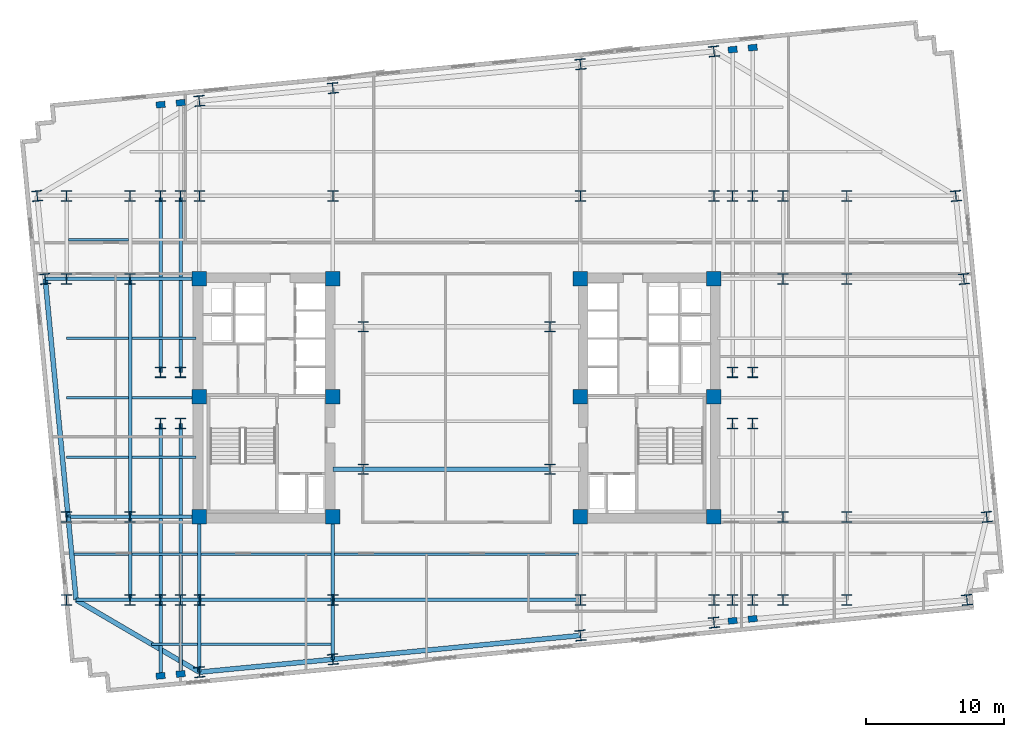
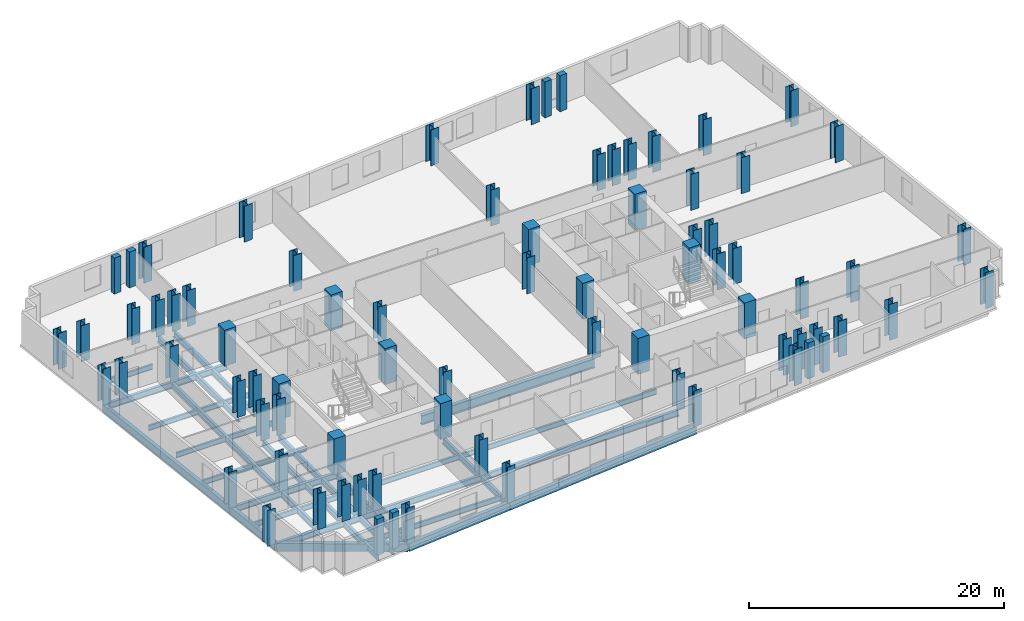
# One storey, part 1 of 10: 78 columns, 41 beams.
"""IFC4 building model written with IfcOpenShell, lengths in metres."""

from ifc_helpers import new_model, si_unit, direction, frame, origin, origin_2d, place, context, subcontext, project, spatial, rectangle, i_section, extrude, material, material_profile, profile_set, type_object, element, save


model = new_model("IFC4")

# Units and contexts
model_context = context("Model", 3, precision=1e-05, world=origin(), true_north=direction((0.0, 1.0)))
body_context = subcontext(model_context, "Body", "Model", "MODEL_VIEW")
ifc_project = project(units=[si_unit("LENGTHUNIT", "METRE"), si_unit("AREAUNIT", "SQUARE_METRE"), si_unit("VOLUMEUNIT", "CUBIC_METRE"), si_unit("PLANEANGLEUNIT", "RADIAN"), si_unit("MASSUNIT", "GRAM", prefix="KILO")], contexts=[model_context])

# Site, building, storey
site_placement = place(None, origin())
site = spatial("IfcSite", under=ifc_project, at=site_placement, CompositionType="ELEMENT")
building_placement = place(site_placement, origin())
building = spatial("IfcBuilding", under=site, at=building_placement, Name="Velakula Bourse", CompositionType="ELEMENT")
storey_placement = place(building_placement, frame((0.0, 0.0, 91.449951171875)))
storey = spatial("IfcBuildingStorey", under=building, at=storey_placement, Name="L24", CompositionType="ELEMENT", Elevation=91.449951171875)

# Columns
ifc_material_1 = material(Name="Concrete M70 (fck 70 MPa)", Category="concrete")
ifc_material_profile_1 = material_profile(ifc_material_1, rectangle(XDim=1.050048828125, YDim=1.050048828125, at=origin_2d()), Name="Concrete M70 (fck 70 MPa)")
ifc_profile_set_1 = profile_set([ifc_material_profile_1], Name="Concrete M70 (fck 70 MPa)")
column_type_1 = type_object("IfcColumnType", Name="COL-RC-1050", PredefinedType="COLUMN", material=ifc_profile_set_1)
for number, where, z_axis, x_axis, name in (
    (1, (-8.949951171875, -8.60009765625, 0.0), (0.0, 0.0, 1.0), (1.0, 0.0, 0.0), "L24 Core Boundary Column 01"),
    (2, (-8.949951171875, 0.10009765625, 0.0), (0.0, 0.0, 1.0), (1.0, 0.0, 0.0), "L24 Core Boundary Column 02"),
    (3, (-8.949951171875, 8.60009765625, 0.0), (0.0, 0.0, 1.0), (1.0, 0.0, 0.0), "L24 Core Boundary Column 03"),
    (4, (-18.60009765625, -8.60009765625, 0.0), (0.0, 0.0, 1.0), (1.0, 0.0, 0.0), "L24 Core Boundary Column 04"),
    (5, (-18.60009765625, 0.10009765625, 0.0), (0.0, 0.0, 1.0), (1.0, 0.0, 0.0), "L24 Core Boundary Column 05"),
    (6, (-18.60009765625, 8.60009765625, 0.0), (0.0, 0.0, 1.0), (1.0, 0.0, 0.0), "L24 Core Boundary Column 06"),
    (7, (8.949951171875, -8.60009765625, 0.0), (0.0, 0.0, 1.0), (1.0, 0.0, 0.0), "L24 Core Boundary Column 07"),
    (8, (8.949951171875, 0.10009765625, 0.0), (0.0, 0.0, 1.0), (1.0, 0.0, 0.0), "L24 Core Boundary Column 08"),
    (9, (8.949951171875, 8.60009765625, 0.0), (0.0, 0.0, 1.0), (1.0, 0.0, 0.0), "L24 Core Boundary Column 09"),
    (10, (18.60009765625, -8.60009765625, 0.0), (0.0, 0.0, 1.0), (1.0, 0.0, 0.0), "L24 Core Boundary Column 10"),
    (11, (18.60009765625, 0.10009765625, 0.0), (0.0, 0.0, 1.0), (1.0, 0.0, 0.0), "L24 Core Boundary Column 11"),
    (12, (18.60009765625, 8.60009765625, 0.0), (0.0, 0.0, 1.0), (1.0, 0.0, 0.0), "L24 Core Boundary Column 12"),
):
    element("IfcColumn", number, at=place(storey_placement, frame(where, z_axis=z_axis, x_axis=x_axis)), inside=storey, type_object=column_type_1, Name=name, PredefinedType="COLUMN", context=body_context, shape_type="SweptSolid", body=[
        extrude(rectangle(XDim=1.050048828125, YDim=1.050048828125, at=origin_2d()), origin(), (0.0, 0.0, 1.0), 3.449951171875),
    ])
ifc_material_2 = material(Name="Steel IS 2062 Grade 450 (E450)", Category="steel")
ifc_material_profile_2 = material_profile(ifc_material_2, i_section(OverallWidth=0.75, OverallDepth=0.75, WebThickness=0.030029296875, FlangeThickness=0.0439453125, at=origin_2d()), Name="Steel IS 2062 Grade 450 (E450)")
ifc_profile_set_2 = profile_set([ifc_material_profile_2], Name="Steel IS 2062 Grade 450 (E450)")
column_type_2 = type_object("IfcColumnType", Name="COL-STL-750", PredefinedType="COLUMN", material=ifc_profile_set_2)
for number, where, z_axis, x_axis, name in (
    (13, (-6.75, -5.14990234375, 0.0), (0.0, 0.0, 1.0), (1.0, 0.0, 0.0), "L24 Central Spine Column 01"),
    (14, (-6.75, 5.14990234375, 0.0), (0.0, 0.0, 1.0), (1.0, 0.0, 0.0), "L24 Central Spine Column 02"),
    (15, (6.75, -5.14990234375, 0.0), (0.0, 0.0, 1.0), (1.0, 0.0, 0.0), "L24 Central Spine Column 03"),
    (16, (6.75, 5.14990234375, 0.0), (0.0, 0.0, 1.0), (1.0, 0.0, 0.0), "L24 Central Spine Column 04"),
    (17, (-21.39990234375, -14.60009765625, 0.0), (0.0, 0.0, 1.0), (1.0, 0.0, 0.0), "L24 Tower Fulcrum Column 01"),
    (18, (-21.39990234375, 14.60009765625, 0.0), (0.0, 0.0, 1.0), (1.0, 0.0, 0.0), "L24 Tower Fulcrum Column 02"),
    (19, (-19.949951171875, -14.60009765625, 0.0), (0.0, 0.0, 1.0), (1.0, 0.0, 0.0), "L24 Tower Fulcrum Column 03"),
    (20, (-19.949951171875, 14.60009765625, 0.0), (0.0, 0.0, 1.0), (1.0, 0.0, 0.0), "L24 Tower Fulcrum Column 04"),
    (21, (-18.60009765625, -14.60009765625, 0.0), (0.0, 0.0, 1.0), (1.0, 0.0, 0.0), "L24 Tower Fulcrum Column 05"),
    (22, (-18.60009765625, 14.60009765625, 0.0), (0.0, 0.0, 1.0), (1.0, 0.0, 0.0), "L24 Tower Fulcrum Column 06"),
    (23, (-8.949951171875, -14.60009765625, 0.0), (0.0, 0.0, 1.0), (1.0, 0.0, 0.0), "L24 Tower Fulcrum Column 07"),
    (24, (-8.949951171875, 14.60009765625, 0.0), (0.0, 0.0, 1.0), (1.0, 0.0, 0.0), "L24 Tower Fulcrum Column 08"),
    (25, (8.949951171875, -14.60009765625, 0.0), (0.0, 0.0, 1.0), (1.0, 0.0, 0.0), "L24 Tower Fulcrum Column 09"),
    (26, (8.949951171875, 14.60009765625, 0.0), (0.0, 0.0, 1.0), (1.0, 0.0, 0.0), "L24 Tower Fulcrum Column 10"),
    (27, (18.60009765625, -14.60009765625, 0.0), (0.0, 0.0, 1.0), (1.0, 0.0, 0.0), "L24 Tower Fulcrum Column 11"),
    (28, (18.60009765625, 14.60009765625, 0.0), (0.0, 0.0, 1.0), (1.0, 0.0, 0.0), "L24 Tower Fulcrum Column 12"),
    (29, (19.949951171875, -14.60009765625, 0.0), (0.0, 0.0, 1.0), (1.0, 0.0, 0.0), "L24 Tower Fulcrum Column 13"),
    (30, (19.949951171875, 14.60009765625, 0.0), (0.0, 0.0, 1.0), (1.0, 0.0, 0.0), "L24 Tower Fulcrum Column 14"),
    (31, (21.39990234375, -14.60009765625, 0.0), (0.0, 0.0, 1.0), (1.0, 0.0, 0.0), "L24 Tower Fulcrum Column 15"),
    (32, (21.39990234375, 14.60009765625, 0.0), (0.0, 0.0, 1.0), (1.0, 0.0, 0.0), "L24 Tower Fulcrum Column 16"),
    (33, (-21.39990234375, -1.85009765625, 0.0), (0.0, 0.0, 1.0), (1.0, 0.0, 0.0), "L24 Tower Fulcrum Column 17"),
    (34, (-21.39990234375, 1.85009765625, 0.0), (0.0, 0.0, 1.0), (1.0, 0.0, 0.0), "L24 Tower Fulcrum Column 18"),
    (35, (-19.949951171875, -1.85009765625, 0.0), (0.0, 0.0, 1.0), (1.0, 0.0, 0.0), "L24 Tower Fulcrum Column 19"),
    (36, (-19.949951171875, 1.85009765625, 0.0), (0.0, 0.0, 1.0), (1.0, 0.0, 0.0), "L24 Tower Fulcrum Column 20"),
    (37, (19.949951171875, -1.85009765625, 0.0), (0.0, 0.0, 1.0), (1.0, 0.0, 0.0), "L24 Tower Fulcrum Column 21"),
    (38, (19.949951171875, 1.85009765625, 0.0), (0.0, 0.0, 1.0), (1.0, 0.0, 0.0), "L24 Tower Fulcrum Column 22"),
    (39, (21.39990234375, -1.85009765625, 0.0), (0.0, 0.0, 1.0), (1.0, 0.0, 0.0), "L24 Tower Fulcrum Column 23"),
    (40, (21.39990234375, 1.85009765625, 0.0), (0.0, 0.0, 1.0), (1.0, 0.0, 0.0), "L24 Tower Fulcrum Column 24"),
    (41, (-23.60009765625, -14.60009765625, 0.0), (0.0, 0.0, 1.0), (1.0, 0.0, 0.0), "L24 Mid-Wing Plumb Column 01"),
    (42, (-23.60009765625, -8.60009765625, 0.0), (0.0, 0.0, 1.0), (1.0, 0.0, 0.0), "L24 Mid-Wing Plumb Column 02"),
    (43, (-23.60009765625, 8.60009765625, 0.0), (0.0, 0.0, 1.0), (1.0, 0.0, 0.0), "L24 Mid-Wing Plumb Column 03"),
    (44, (-23.60009765625, 14.60009765625, 0.0), (0.0, 0.0, 1.0), (1.0, 0.0, 0.0), "L24 Mid-Wing Plumb Column 04"),
    (45, (23.60009765625, -14.60009765625, 0.0), (0.0, 0.0, 1.0), (1.0, 0.0, 0.0), "L24 Mid-Wing Plumb Column 05"),
    (46, (23.60009765625, -8.60009765625, 0.0), (0.0, 0.0, 1.0), (1.0, 0.0, 0.0), "L24 Mid-Wing Plumb Column 06"),
    (47, (23.60009765625, 8.60009765625, 0.0), (0.0, 0.0, 1.0), (1.0, 0.0, 0.0), "L24 Mid-Wing Plumb Column 07"),
    (48, (23.60009765625, 14.60009765625, 0.0), (0.0, 0.0, 1.0), (1.0, 0.0, 0.0), "L24 Mid-Wing Plumb Column 08"),
    (49, (-28.199951171875, -14.60009765625, 0.0), (0.0, 0.0, 1.0), (1.0, 0.0, 0.0), "L24 Lower Wing Column 01"),
    (50, (-28.199951171875, -8.60009765625, 0.0), (0.0, 0.0, 1.0), (1.0, 0.0, 0.0), "L24 Lower Wing Column 02"),
    (51, (-28.199951171875, 8.60009765625, 0.0), (0.0, 0.0, 1.0), (1.0, 0.0, 0.0), "L24 Lower Wing Column 03"),
    (52, (-28.199951171875, 14.60009765625, 0.0), (0.0, 0.0, 1.0), (1.0, 0.0, 0.0), "L24 Lower Wing Column 04"),
    (53, (28.199951171875, -14.60009765625, 0.0), (0.0, 0.0, 1.0), (1.0, 0.0, 0.0), "L24 Lower Wing Column 05"),
    (54, (28.199951171875, -8.60009765625, 0.0), (0.0, 0.0, 1.0), (1.0, 0.0, 0.0), "L24 Lower Wing Column 06"),
    (55, (28.199951171875, 8.60009765625, 0.0), (0.0, 0.0, 1.0), (1.0, 0.0, 0.0), "L24 Lower Wing Column 07"),
    (56, (28.199951171875, 14.60009765625, 0.0), (0.0, 0.0, 1.0), (1.0, 0.0, 0.0), "L24 Lower Wing Column 08"),
    (57, (-18.60009765625, -19.8212890625, 0.0), (0.0, 0.0, 1.0), (0.995396198367, 0.09584575252, 0.0), "L24 Block B2 Perimeter Column S1"),
    (58, (-8.949951171875, -18.89208984375, 0.0), (0.0, 0.0, 1.0), (0.995396198367, 0.09584575252, 0.0), "L24 Block B2 Perimeter Column S2"),
    (59, (8.949951171875, -17.16845703125, 0.0), (0.0, 0.0, 1.0), (0.995396198367, 0.09584575252, 0.0), "L24 Block B2 Perimeter Column S3"),
    (60, (18.60009765625, -16.2392578125, 0.0), (0.0, 0.0, 1.0), (0.995396198367, 0.09584575252, 0.0), "L24 Block B2 Perimeter Column S4"),
    (61, (-18.60009765625, 21.468994140625, 0.0), (0.0, 0.0, 1.0), (0.995396198367, 0.09584575252, 0.0), "L24 Block B2 Perimeter Column N1"),
    (62, (-8.949951171875, 22.398193359375, 0.0), (0.0, 0.0, 1.0), (0.995396198367, 0.09584575252, 0.0), "L24 Block B2 Perimeter Column N2"),
    (63, (8.949951171875, 24.12158203125, 0.0), (0.0, 0.0, 1.0), (0.995396198367, 0.09584575252, 0.0), "L24 Block B2 Perimeter Column N3"),
    (64, (18.60009765625, 25.05078125, 0.0), (0.0, 0.0, 1.0), (0.995396198367, 0.09584575252, 0.0), "L24 Block B2 Perimeter Column N4"),
    (65, (-29.7421875, 8.60009765625, 0.0), (0.0, 0.0, 1.0), (0.995396198367, 0.09584575252, 0.0), "L24 Block B2 Perimeter Column W3"),
    (66, (-30.31982421875, 14.60009765625, 0.0), (0.0, 0.0, 1.0), (0.995396198367, 0.09584575252, 0.0), "L24 Block B2 Perimeter Column W4"),
    (67, (36.88818359375, -14.60009765625, 0.0), (0.0, 0.0, 1.0), (0.995396198367, 0.09584575252, 0.0), "L24 Block B2 Perimeter Column E1"),
    (68, (38.31982421875, -8.60009765625, 0.0), (0.0, 0.0, 1.0), (0.995396198367, 0.09584575252, 0.0), "L24 Block B2 Perimeter Column E2"),
    (69, (36.66357421875, 8.60009765625, 0.0), (0.0, 0.0, 1.0), (0.995396198367, 0.09584575252, 0.0), "L24 Block B2 Perimeter Column E3"),
    (70, (36.0859375, 14.60009765625, 0.0), (0.0, 0.0, 1.0), (0.995396198367, 0.09584575252, 0.0), "L24 Block B2 Perimeter Column E4"),
):
    element("IfcColumn", number, at=place(storey_placement, frame(where, z_axis=z_axis, x_axis=x_axis)), inside=storey, type_object=column_type_2, Name=name, PredefinedType="COLUMN", context=body_context, shape_type="SweptSolid", body=[
        extrude(i_section(OverallWidth=0.75, OverallDepth=0.75, WebThickness=0.030029296875, FlangeThickness=0.0439453125, at=origin_2d()), origin(), (0.0, 0.0, 1.0), 3.449951171875),
    ])
ifc_material_3 = material(Name="Precast concrete M45 (fck 45 MPa)", Category="concrete")
ifc_material_profile_3 = material_profile(ifc_material_3, rectangle(XDim=0.64990234375, YDim=0.449951171875, at=origin_2d()), Name="Precast concrete M45 (fck 45 MPa)")
ifc_profile_set_3 = profile_set([ifc_material_profile_3], Name="Precast concrete M45 (fck 45 MPa)")
column_type_3 = type_object("IfcColumnType", Name="PIL-BRICK-650", PredefinedType="PILASTER", material=ifc_profile_set_3)
for number, where, z_axis, x_axis, name in (
    (71, (-21.39990234375, -20.0908203125, 0.0), (0.0, 0.0, 1.0), (0.995396198367, 0.09584575252, 0.0), "L24 Brick Pier Pilaster 01"),
    (72, (-19.949951171875, -19.951171875, 0.0), (0.0, 0.0, 1.0), (0.995396198367, 0.09584575252, 0.0), "L24 Brick Pier Pilaster 02"),
    (73, (19.949951171875, -16.109130859375, 0.0), (0.0, 0.0, 1.0), (0.995396198367, 0.09584575252, 0.0), "L24 Brick Pier Pilaster 03"),
    (74, (21.39990234375, -15.969482421875, 0.0), (0.0, 0.0, 1.0), (0.995396198367, 0.09584575252, 0.0), "L24 Brick Pier Pilaster 04"),
    (75, (-21.39990234375, 21.19921875, 0.0), (0.0, 0.0, 1.0), (0.995396198367, 0.09584575252, 0.0), "L24 Brick Pier Pilaster 05"),
    (76, (-19.949951171875, 21.3388671875, 0.0), (0.0, 0.0, 1.0), (0.995396198367, 0.09584575252, 0.0), "L24 Brick Pier Pilaster 06"),
    (77, (19.949951171875, 25.180908203125, 0.0), (0.0, 0.0, 1.0), (0.995396198367, 0.09584575252, 0.0), "L24 Brick Pier Pilaster 07"),
    (78, (21.39990234375, 25.320556640625, 0.0), (0.0, 0.0, 1.0), (0.995396198367, 0.09584575252, 0.0), "L24 Brick Pier Pilaster 08"),
):
    element("IfcColumn", number, at=place(storey_placement, frame(where, z_axis=z_axis, x_axis=x_axis)), inside=storey, type_object=column_type_3, Name=name, PredefinedType="PILASTER", context=body_context, shape_type="SweptSolid", body=[
        extrude(rectangle(XDim=0.64990234375, YDim=0.449951171875, at=origin_2d()), origin(), (0.0, 0.0, 1.0), 3.449951171875),
    ])

# Beams
ifc_material_4 = material(Name="Steel IS 2062 Grade 350 (E350)", Category="steel")
ifc_material_profile_4 = material_profile(ifc_material_4, i_section(OverallWidth=0.25, OverallDepth=0.60009765625, WebThickness=0.01171875, FlangeThickness=0.023681640625, at=origin_2d()), Name="Steel IS 2062 Grade 350 (E350)")
ifc_profile_set_4 = profile_set([ifc_material_profile_4], Name="Steel IS 2062 Grade 350 (E350)")
beam_type_1 = type_object("IfcBeamType", Name="BM-GRD-600H", PredefinedType="BEAM", material=ifc_profile_set_4)
for number, where, z_axis, x_axis, name in (
    (79, (-18.60009765625, -14.60009765625, -0.47998046875), (0.0, 1.0, 0.0), (-1.0, 0.0, 0.0), "L24 Fulcrum Grid Girder FLC-WS"),
    (80, (-8.949951171875, -14.60009765625, -0.47998046875), (0.0, 1.0, 0.0), (-1.0, 0.0, 0.0), "L24 Fulcrum Grid Girder FLC-WCS"),
):
    element("IfcBeam", number, at=place(storey_placement, frame(where, z_axis=z_axis, x_axis=x_axis)), inside=storey, type_object=beam_type_1, Name=name, PredefinedType="BEAM", context=body_context, shape_type="SweptSolid", body=[
        extrude(i_section(OverallWidth=0.25, OverallDepth=0.60009765625, WebThickness=0.01171875, FlangeThickness=0.023681640625, at=origin_2d()), origin(), (0.0, 0.0, 1.0), 6.0),
    ])
beam_1_placement = place(storey_placement, frame((-18.60009765625, -14.60009765625, -0.47998046875), z_axis=(1.0, 0.0, 0.0), x_axis=(0.0, 1.0, 0.0)))
element("IfcBeam", 81, at=beam_1_placement, inside=storey, type_object=beam_type_1, Name="L24 Fulcrum Grid Girder FLC-S1", PredefinedType="BEAM", context=body_context, shape_type="SweptSolid", body=[
    extrude(i_section(OverallWidth=0.25, OverallDepth=0.60009765625, WebThickness=0.01171875, FlangeThickness=0.023681640625, at=origin_2d()), origin(), (0.0, 0.0, 1.0), 9.650146484375),
])
beam_2_placement = place(storey_placement, frame((-8.949951171875, -14.60009765625, -0.47998046875), z_axis=(1.0, 0.0, 0.0), x_axis=(0.0, 1.0, 0.0)))
element("IfcBeam", 82, at=beam_2_placement, inside=storey, type_object=beam_type_1, Name="L24 Fulcrum Grid Girder FLC-S2", PredefinedType="BEAM", context=body_context, shape_type="SweptSolid", body=[
    extrude(i_section(OverallWidth=0.25, OverallDepth=0.60009765625, WebThickness=0.01171875, FlangeThickness=0.023681640625, at=origin_2d()), origin(), (0.0, 0.0, 1.0), 17.89990234375),
])
for number, where, z_axis, x_axis, name in (
    (83, (-21.39990234375, -14.60009765625, -0.47998046875), (0.0, 1.0, 0.0), (-1.0, 0.0, 0.0), "L24 Fulcrum Grid Girder FLC-PSW1"),
    (84, (-21.39990234375, 1.85009765625, -0.47998046875), (0.0, 1.0, 0.0), (-1.0, 0.0, 0.0), "L24 Fulcrum Grid Girder FLC-PNW1"),
    (85, (-19.949951171875, -14.60009765625, -0.47998046875), (0.0, 1.0, 0.0), (-1.0, 0.0, 0.0), "L24 Fulcrum Grid Girder FLC-PSW2"),
    (86, (-19.949951171875, 1.85009765625, -0.47998046875), (0.0, 1.0, 0.0), (-1.0, 0.0, 0.0), "L24 Fulcrum Grid Girder FLC-PNW2"),
):
    element("IfcBeam", number, at=place(storey_placement, frame(where, z_axis=z_axis, x_axis=x_axis)), inside=storey, type_object=beam_type_1, Name=name, PredefinedType="BEAM", context=body_context, shape_type="SweptSolid", body=[
        extrude(i_section(OverallWidth=0.25, OverallDepth=0.60009765625, WebThickness=0.01171875, FlangeThickness=0.023681640625, at=origin_2d()), origin(), (0.0, 0.0, 1.0), 12.75),
    ])
for number, where, z_axis, x_axis, name in (
    (87, (-23.60009765625, -14.60009765625, -0.47998046875), (1.0, 0.0, 0.0), (0.0, 1.0, 0.0), "L24 Fulcrum Grid Girder MWG-WS1"),
    (88, (-23.60009765625, -8.60009765625, -0.47998046875), (1.0, 0.0, 0.0), (0.0, 1.0, 0.0), "L24 Fulcrum Grid Girder MWG-WS2"),
    (89, (-23.60009765625, 8.60009765625, -0.47998046875), (1.0, 0.0, 0.0), (0.0, 1.0, 0.0), "L24 Fulcrum Grid Girder MWG-WN1"),
):
    element("IfcBeam", number, at=place(storey_placement, frame(where, z_axis=z_axis, x_axis=x_axis)), inside=storey, type_object=beam_type_1, Name=name, PredefinedType="BEAM", context=body_context, shape_type="SweptSolid", body=[
        extrude(i_section(OverallWidth=0.25, OverallDepth=0.60009765625, WebThickness=0.01171875, FlangeThickness=0.023681640625, at=origin_2d()), origin(), (0.0, 0.0, 1.0), 5.0),
    ])
beam_3_placement = place(storey_placement, frame((-23.60009765625, -14.60009765625, -0.47998046875), z_axis=(0.0, 1.0, 0.0), x_axis=(-1.0, 0.0, 0.0)))
element("IfcBeam", 90, at=beam_3_placement, inside=storey, type_object=beam_type_1, Name="L24 Fulcrum Grid Girder MWG-WNS1", PredefinedType="BEAM", context=body_context, shape_type="SweptSolid", body=[
    extrude(i_section(OverallWidth=0.25, OverallDepth=0.60009765625, WebThickness=0.01171875, FlangeThickness=0.023681640625, at=origin_2d()), origin(), (0.0, 0.0, 1.0), 6.0),
])
beam_4_placement = place(storey_placement, frame((-23.60009765625, -8.60009765625, -0.47998046875), z_axis=(0.0, 1.0, 0.0), x_axis=(-1.0, 0.0, 0.0)))
element("IfcBeam", 91, at=beam_4_placement, inside=storey, type_object=beam_type_1, Name="L24 Fulcrum Grid Girder MWG-WNS2", PredefinedType="BEAM", context=body_context, shape_type="SweptSolid", body=[
    extrude(i_section(OverallWidth=0.25, OverallDepth=0.60009765625, WebThickness=0.01171875, FlangeThickness=0.023681640625, at=origin_2d()), origin(), (0.0, 0.0, 1.0), 17.2001953125),
])
beam_5_placement = place(storey_placement, frame((-27.50830078125, -14.60009765625, -0.47998046875), z_axis=(1.0, 0.0, 0.0), x_axis=(0.0, 1.0, 0.0)))
element("IfcBeam", 92, at=beam_5_placement, inside=storey, type_object=beam_type_1, Name="L24 Fulcrum Grid Girder WNG-WS1", PredefinedType="BEAM", context=body_context, shape_type="SweptSolid", body=[
    extrude(i_section(OverallWidth=0.25, OverallDepth=0.60009765625, WebThickness=0.01171875, FlangeThickness=0.023681640625, at=origin_2d()), origin(), (0.0, 0.0, 1.0), 3.908203125),
])
beam_6_placement = place(storey_placement, frame((-28.0859375, -8.60009765625, -0.47998046875), z_axis=(1.0, 0.0, 0.0), x_axis=(0.0, 1.0, 0.0)))
element("IfcBeam", 93, at=beam_6_placement, inside=storey, type_object=beam_type_1, Name="L24 Fulcrum Grid Girder WNG-WS2", PredefinedType="BEAM", context=body_context, shape_type="SweptSolid", body=[
    extrude(i_section(OverallWidth=0.25, OverallDepth=0.60009765625, WebThickness=0.01171875, FlangeThickness=0.023681640625, at=origin_2d()), origin(), (0.0, 0.0, 1.0), 4.48583984375),
])
beam_7_placement = place(storey_placement, frame((-28.199951171875, 8.60009765625, -0.47998046875), z_axis=(1.0, 0.0, 0.0), x_axis=(0.0, 1.0, 0.0)))
element("IfcBeam", 94, at=beam_7_placement, inside=storey, type_object=beam_type_1, Name="L24 Fulcrum Grid Girder WNG-WN1", PredefinedType="BEAM", context=body_context, shape_type="SweptSolid", body=[
    extrude(i_section(OverallWidth=0.25, OverallDepth=0.60009765625, WebThickness=0.01171875, FlangeThickness=0.023681640625, at=origin_2d()), origin(), (0.0, 0.0, 1.0), 4.599853515625),
])
beam_8_placement = place(storey_placement, frame((-18.60009765625, -14.60009765625, -0.47998046875), z_axis=(0.0, -1.0, 0.0), x_axis=(1.0, 0.0, 0.0)))
element("IfcBeam", 95, at=beam_8_placement, inside=storey, type_object=beam_type_1, Name="L24 Perimeter Tie Girder S1", PredefinedType="BEAM", context=body_context, shape_type="SweptSolid", body=[
    extrude(i_section(OverallWidth=0.25, OverallDepth=0.60009765625, WebThickness=0.01171875, FlangeThickness=0.023681640625, at=origin_2d()), origin(), (0.0, 0.0, 1.0), 5.22119140625),
])
beam_9_placement = place(storey_placement, frame((-8.949951171875, -14.60009765625, -0.47998046875), z_axis=(0.0, -1.0, 0.0), x_axis=(1.0, 0.0, 0.0)))
element("IfcBeam", 96, at=beam_9_placement, inside=storey, type_object=beam_type_1, Name="L24 Perimeter Tie Girder S2", PredefinedType="BEAM", context=body_context, shape_type="SweptSolid", body=[
    extrude(i_section(OverallWidth=0.25, OverallDepth=0.60009765625, WebThickness=0.01171875, FlangeThickness=0.023681640625, at=origin_2d()), origin(), (0.0, 0.0, 1.0), 4.2919921875),
])
beam_10_placement = place(storey_placement, frame((-28.199951171875, 8.60009765625, -0.47998046875), z_axis=(-1.0, 0.0, 0.0), x_axis=(0.0, -1.0, 0.0)))
element("IfcBeam", 97, at=beam_10_placement, inside=storey, type_object=beam_type_1, Name="L24 Perimeter Tie Girder W3", PredefinedType="BEAM", context=body_context, shape_type="SweptSolid", body=[
    extrude(i_section(OverallWidth=0.25, OverallDepth=0.60009765625, WebThickness=0.01171875, FlangeThickness=0.023681640625, at=origin_2d()), origin(), (0.0, 0.0, 1.0), 1.542236328125),
])
beam_11_placement = place(storey_placement, frame((-21.39990234375, -14.60009765625, -0.47998046875), z_axis=(0.0, -1.0, 0.0), x_axis=(1.0, 0.0, 0.0)))
element("IfcBeam", 98, at=beam_11_placement, inside=storey, type_object=beam_type_1, Name="L24 Perimeter Tie Girder P01", PredefinedType="BEAM", context=body_context, shape_type="SweptSolid", body=[
    extrude(i_section(OverallWidth=0.25, OverallDepth=0.60009765625, WebThickness=0.01171875, FlangeThickness=0.023681640625, at=origin_2d()), origin(), (0.0, 0.0, 1.0), 5.49072265625),
])
beam_12_placement = place(storey_placement, frame((-19.949951171875, -14.60009765625, -0.47998046875), z_axis=(0.0, -1.0, 0.0), x_axis=(1.0, 0.0, 0.0)))
element("IfcBeam", 99, at=beam_12_placement, inside=storey, type_object=beam_type_1, Name="L24 Perimeter Tie Girder P02", PredefinedType="BEAM", context=body_context, shape_type="SweptSolid", body=[
    extrude(i_section(OverallWidth=0.25, OverallDepth=0.60009765625, WebThickness=0.01171875, FlangeThickness=0.023681640625, at=origin_2d()), origin(), (0.0, 0.0, 1.0), 5.35107421875),
])
ifc_material_profile_5 = material_profile(ifc_material_4, i_section(OverallWidth=0.35009765625, OverallDepth=0.89990234375, WebThickness=0.02001953125, FlangeThickness=0.031982421875, at=origin_2d()), Name="Steel IS 2062 Grade 350 (E350)")
ifc_profile_set_5 = profile_set([ifc_material_profile_5], Name="Steel IS 2062 Grade 350 (E350)")
beam_type_2 = type_object("IfcBeamType", Name="BM-LNK-900", PredefinedType="BEAM", material=ifc_profile_set_5)
beam_13_placement = place(storey_placement, frame((-8.949951171875, -5.14990234375, -0.6298828125), z_axis=(1.0, 0.0, 0.0), x_axis=(0.0, 1.0, 0.0)))
element("IfcBeam", 100, at=beam_13_placement, inside=storey, type_object=beam_type_2, Name="L24 Primary Backbone Girder LNK-S1", PredefinedType="BEAM", context=body_context, shape_type="SweptSolid", body=[
    extrude(i_section(OverallWidth=0.35009765625, OverallDepth=0.89990234375, WebThickness=0.02001953125, FlangeThickness=0.031982421875, at=origin_2d()), origin(), (0.0, 0.0, 1.0), 2.199951171875),
])
beam_14_placement = place(storey_placement, frame((-6.75, -5.14990234375, -0.6298828125), z_axis=(1.0, 0.0, 0.0), x_axis=(0.0, 1.0, 0.0)))
element("IfcBeam", 101, at=beam_14_placement, inside=storey, type_object=beam_type_2, Name="L24 Primary Backbone Girder LNK-S2", PredefinedType="BEAM", context=body_context, shape_type="SweptSolid", body=[
    extrude(i_section(OverallWidth=0.35009765625, OverallDepth=0.89990234375, WebThickness=0.02001953125, FlangeThickness=0.031982421875, at=origin_2d()), origin(), (0.0, 0.0, 1.0), 13.5),
])
ifc_material_profile_6 = material_profile(ifc_material_4, i_section(OverallWidth=0.179931640625, OverallDepth=0.5, WebThickness=0.01025390625, FlangeThickness=0.01708984375, at=origin_2d()), Name="Steel IS 2062 Grade 350 (E350)")
ifc_profile_set_6 = profile_set([ifc_material_profile_6], Name="Steel IS 2062 Grade 350 (E350)")
beam_type_3 = type_object("IfcBeamType", Name="JST-TWR-500", PredefinedType="JOIST", material=ifc_profile_set_6)
beam_15_placement = place(storey_placement, frame((-22.048583984375, -17.800048828125, -0.429931640625), z_axis=(1.0, 0.0, 0.0), x_axis=(0.0, 1.0, 0.0)))
element("IfcBeam", 102, at=beam_15_placement, inside=storey, type_object=beam_type_3, Name="L24 Trading Floor Composite Joist 01", PredefinedType="JOIST", context=body_context, shape_type="SweptSolid", body=[
    extrude(i_section(OverallWidth=0.179931640625, OverallDepth=0.5, WebThickness=0.01025390625, FlangeThickness=0.01708984375, at=origin_2d()), origin(), (0.0, 0.0, 1.0), 3.323486328125),
])
beam_16_placement = place(storey_placement, frame((-18.47509765625, -17.800048828125, -0.429931640625), z_axis=(1.0, 0.0, 0.0), x_axis=(0.0, 1.0, 0.0)))
element("IfcBeam", 103, at=beam_16_placement, inside=storey, type_object=beam_type_3, Name="L24 Trading Floor Composite Joist 02", PredefinedType="JOIST", context=body_context, shape_type="SweptSolid", body=[
    extrude(i_section(OverallWidth=0.179931640625, OverallDepth=0.5, WebThickness=0.01025390625, FlangeThickness=0.01708984375, at=origin_2d()), origin(), (0.0, 0.0, 1.0), 9.400146484375),
])
beam_17_placement = place(storey_placement, frame((-27.650146484375, -11.300048828125, -0.429931640625), z_axis=(1.0, 0.0, 0.0), x_axis=(0.0, 1.0, 0.0)))
element("IfcBeam", 104, at=beam_17_placement, inside=storey, type_object=beam_type_3, Name="L24 Trading Floor Composite Joist 04", PredefinedType="JOIST", context=body_context, shape_type="SweptSolid", body=[
    extrude(i_section(OverallWidth=0.179931640625, OverallDepth=0.5, WebThickness=0.01025390625, FlangeThickness=0.01708984375, at=origin_2d()), origin(), (0.0, 0.0, 1.0), 3.925048828125),
])
beam_18_placement = place(storey_placement, frame((-23.47509765625, -11.300048828125, -0.429931640625), z_axis=(1.0, 0.0, 0.0), x_axis=(0.0, 1.0, 0.0)))
element("IfcBeam", 105, at=beam_18_placement, inside=storey, type_object=beam_type_3, Name="L24 Trading Floor Composite Joist 05", PredefinedType="JOIST", context=body_context, shape_type="SweptSolid", body=[
    extrude(i_section(OverallWidth=0.179931640625, OverallDepth=0.5, WebThickness=0.01025390625, FlangeThickness=0.01708984375, at=origin_2d()), origin(), (0.0, 0.0, 1.0), 4.75),
])
beam_19_placement = place(storey_placement, frame((-18.47509765625, -11.300048828125, -0.429931640625), z_axis=(1.0, 0.0, 0.0), x_axis=(0.0, 1.0, 0.0)))
element("IfcBeam", 106, at=beam_19_placement, inside=storey, type_object=beam_type_3, Name="L24 Trading Floor Composite Joist 06", PredefinedType="JOIST", context=body_context, shape_type="SweptSolid", body=[
    extrude(i_section(OverallWidth=0.179931640625, OverallDepth=0.5, WebThickness=0.01025390625, FlangeThickness=0.01708984375, at=origin_2d()), origin(), (0.0, 0.0, 1.0), 9.400146484375),
])
beam_20_placement = place(storey_placement, frame((-8.824951171875, -11.300048828125, -0.429931640625), z_axis=(1.0, 0.0, 0.0), x_axis=(0.0, 1.0, 0.0)))
element("IfcBeam", 107, at=beam_20_placement, inside=storey, type_object=beam_type_3, Name="L24 Trading Floor Composite Joist 07", PredefinedType="JOIST", context=body_context, shape_type="SweptSolid", body=[
    extrude(i_section(OverallWidth=0.179931640625, OverallDepth=0.5, WebThickness=0.01025390625, FlangeThickness=0.01708984375, at=origin_2d()), origin(), (0.0, 0.0, 1.0), 17.64990234375),
])
beam_21_placement = place(storey_placement, frame((-28.074951171875, 11.449951171875, -0.429931640625), z_axis=(1.0, 0.0, 0.0), x_axis=(0.0, 1.0, 0.0)))
element("IfcBeam", 108, at=beam_21_placement, inside=storey, type_object=beam_type_3, Name="L24 Trading Floor Composite Joist 12", PredefinedType="JOIST", context=body_context, shape_type="SweptSolid", body=[
    extrude(i_section(OverallWidth=0.179931640625, OverallDepth=0.5, WebThickness=0.01025390625, FlangeThickness=0.01708984375, at=origin_2d()), origin(), (0.0, 0.0, 1.0), 4.349853515625),
])
beam_22_placement = place(storey_placement, frame((-28.199951171875, -4.300048828125, -0.429931640625), z_axis=(1.0, 0.0, 0.0), x_axis=(0.0, 1.0, 0.0)))
element("IfcBeam", 109, at=beam_22_placement, inside=storey, type_object=beam_type_3, Name="L24 Trading Floor Composite Joist 33", PredefinedType="JOIST", context=body_context, shape_type="SweptSolid", body=[
    extrude(i_section(OverallWidth=0.179931640625, OverallDepth=0.5, WebThickness=0.01025390625, FlangeThickness=0.01708984375, at=origin_2d()), origin(), (0.0, 0.0, 1.0), 4.474853515625),
])
beam_23_placement = place(storey_placement, frame((-23.47509765625, -4.300048828125, -0.429931640625), z_axis=(1.0, 0.0, 0.0), x_axis=(0.0, 1.0, 0.0)))
element("IfcBeam", 110, at=beam_23_placement, inside=storey, type_object=beam_type_3, Name="L24 Trading Floor Composite Joist 34", PredefinedType="JOIST", context=body_context, shape_type="SweptSolid", body=[
    extrude(i_section(OverallWidth=0.179931640625, OverallDepth=0.5, WebThickness=0.01025390625, FlangeThickness=0.01708984375, at=origin_2d()), origin(), (0.0, 0.0, 1.0), 4.625),
])
beam_24_placement = place(storey_placement, frame((-28.199951171875, 0.0, -0.429931640625), z_axis=(1.0, 0.0, 0.0), x_axis=(0.0, 1.0, 0.0)))
element("IfcBeam", 111, at=beam_24_placement, inside=storey, type_object=beam_type_3, Name="L24 Trading Floor Composite Joist 38", PredefinedType="JOIST", context=body_context, shape_type="SweptSolid", body=[
    extrude(i_section(OverallWidth=0.179931640625, OverallDepth=0.5, WebThickness=0.01025390625, FlangeThickness=0.01708984375, at=origin_2d()), origin(), (0.0, 0.0, 1.0), 4.474853515625),
])
beam_25_placement = place(storey_placement, frame((-23.47509765625, 0.0, -0.429931640625), z_axis=(1.0, 0.0, 0.0), x_axis=(0.0, 1.0, 0.0)))
element("IfcBeam", 112, at=beam_25_placement, inside=storey, type_object=beam_type_3, Name="L24 Trading Floor Composite Joist 39", PredefinedType="JOIST", context=body_context, shape_type="SweptSolid", body=[
    extrude(i_section(OverallWidth=0.179931640625, OverallDepth=0.5, WebThickness=0.01025390625, FlangeThickness=0.01708984375, at=origin_2d()), origin(), (0.0, 0.0, 1.0), 4.625),
])
beam_26_placement = place(storey_placement, frame((-28.199951171875, 4.300048828125, -0.429931640625), z_axis=(1.0, 0.0, 0.0), x_axis=(0.0, 1.0, 0.0)))
element("IfcBeam", 113, at=beam_26_placement, inside=storey, type_object=beam_type_3, Name="L24 Trading Floor Composite Joist 43", PredefinedType="JOIST", context=body_context, shape_type="SweptSolid", body=[
    extrude(i_section(OverallWidth=0.179931640625, OverallDepth=0.5, WebThickness=0.01025390625, FlangeThickness=0.01708984375, at=origin_2d()), origin(), (0.0, 0.0, 1.0), 4.474853515625),
])
beam_27_placement = place(storey_placement, frame((-23.47509765625, 4.300048828125, -0.429931640625), z_axis=(1.0, 0.0, 0.0), x_axis=(0.0, 1.0, 0.0)))
element("IfcBeam", 114, at=beam_27_placement, inside=storey, type_object=beam_type_3, Name="L24 Trading Floor Composite Joist 44", PredefinedType="JOIST", context=body_context, shape_type="SweptSolid", body=[
    extrude(i_section(OverallWidth=0.179931640625, OverallDepth=0.5, WebThickness=0.01025390625, FlangeThickness=0.01708984375, at=origin_2d()), origin(), (0.0, 0.0, 1.0), 4.625),
])
ifc_material_profile_7 = material_profile(ifc_material_3, rectangle(XDim=0.35009765625, YDim=0.75, at=origin_2d()), Name="Precast concrete M45 (fck 45 MPa)")
ifc_profile_set_7 = profile_set([ifc_material_profile_7], Name="Precast concrete M45 (fck 45 MPa)")
beam_type_4 = type_object("IfcBeamType", Name="SPN-BRICK-750", PredefinedType="SPANDREL", material=ifc_profile_set_7)
beam_28_placement = place(storey_placement, frame((-18.60009765625, -19.8212890625, -0.554931640625), z_axis=(0.99539623971, 0.095845323155, 0.0), x_axis=(-0.095845323155, 0.99539623971, 0.0)))
element("IfcBeam", 115, at=beam_28_placement, inside=storey, type_object=beam_type_4, Name="L24 Brick-Faced Precast Spandrel S1-S2", PredefinedType="SPANDREL", context=body_context, shape_type="SweptSolid", body=[
    extrude(rectangle(XDim=0.35009765625, YDim=0.75, at=origin_2d()), origin(), (0.0, 0.0, 1.0), 9.69482421875),
])
beam_29_placement = place(storey_placement, frame((-8.949951171875, -18.89208984375, -0.554931640625), z_axis=(0.995395836254, 0.095849513134, 0.0), x_axis=(-0.095849513134, 0.995395836254, 0.0)))
element("IfcBeam", 116, at=beam_29_placement, inside=storey, type_object=beam_type_4, Name="L24 Brick-Faced Precast Spandrel S2-S3", PredefinedType="SPANDREL", context=body_context, shape_type="SweptSolid", body=[
    extrude(rectangle(XDim=0.35009765625, YDim=0.75, at=origin_2d()), origin(), (0.0, 0.0, 1.0), 17.982666015625),
])
beam_30_placement = place(storey_placement, frame((-27.50830078125, -14.60009765625, -0.554931640625), z_axis=(-0.095829714309, 0.995397742541, 0.0), x_axis=(-0.995397742541, -0.095829714309, 0.0)))
element("IfcBeam", 117, at=beam_30_placement, inside=storey, type_object=beam_type_4, Name="L24 Brick-Faced Precast Spandrel W1-W2", PredefinedType="SPANDREL", context=body_context, shape_type="SweptSolid", body=[
    extrude(rectangle(XDim=0.35009765625, YDim=0.75, at=origin_2d()), origin(), (0.0, 0.0, 1.0), 6.02783203125),
])
beam_31_placement = place(storey_placement, frame((-28.0859375, -8.60009765625, -0.554931640625), z_axis=(-0.095849167925, 0.995395869495, 0.0), x_axis=(-0.995395869495, -0.095849167925, 0.0)))
element("IfcBeam", 118, at=beam_31_placement, inside=storey, type_object=beam_type_4, Name="L24 Brick-Faced Precast Spandrel W2-W3", PredefinedType="SPANDREL", context=body_context, shape_type="SweptSolid", body=[
    extrude(rectangle(XDim=0.35009765625, YDim=0.75, at=origin_2d()), origin(), (0.0, 0.0, 1.0), 17.27978515625),
])
beam_32_placement = place(storey_placement, frame((-27.50830078125, -14.60009765625, -0.554931640625), z_axis=(0.862734250413, -0.505657604674, 0.0), x_axis=(0.505657604674, 0.862734250413, 0.0)))
element("IfcBeam", 119, at=beam_32_placement, inside=storey, type_object=beam_type_4, Name="L24 Brick-Faced Precast Spandrel W1-S1", PredefinedType="SPANDREL", context=body_context, shape_type="SweptSolid", body=[
    extrude(rectangle(XDim=0.35009765625, YDim=0.75, at=origin_2d()), origin(), (0.0, 0.0, 1.0), 10.325439453125),
])

save(model, "model.ifc")
